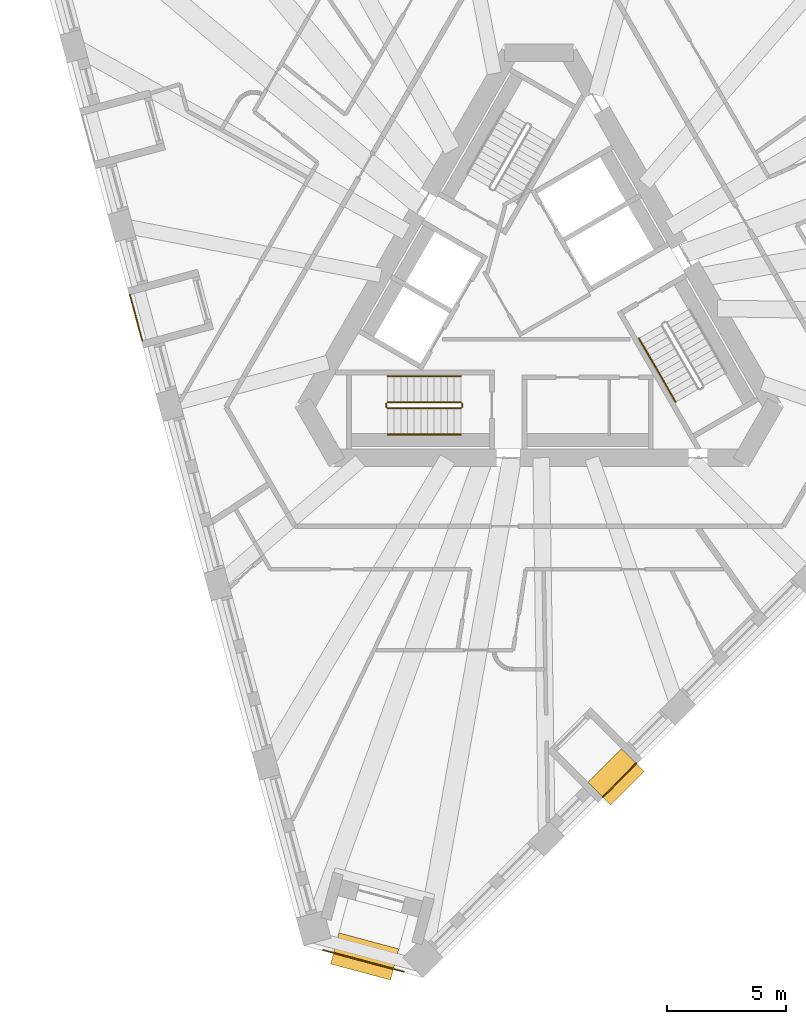
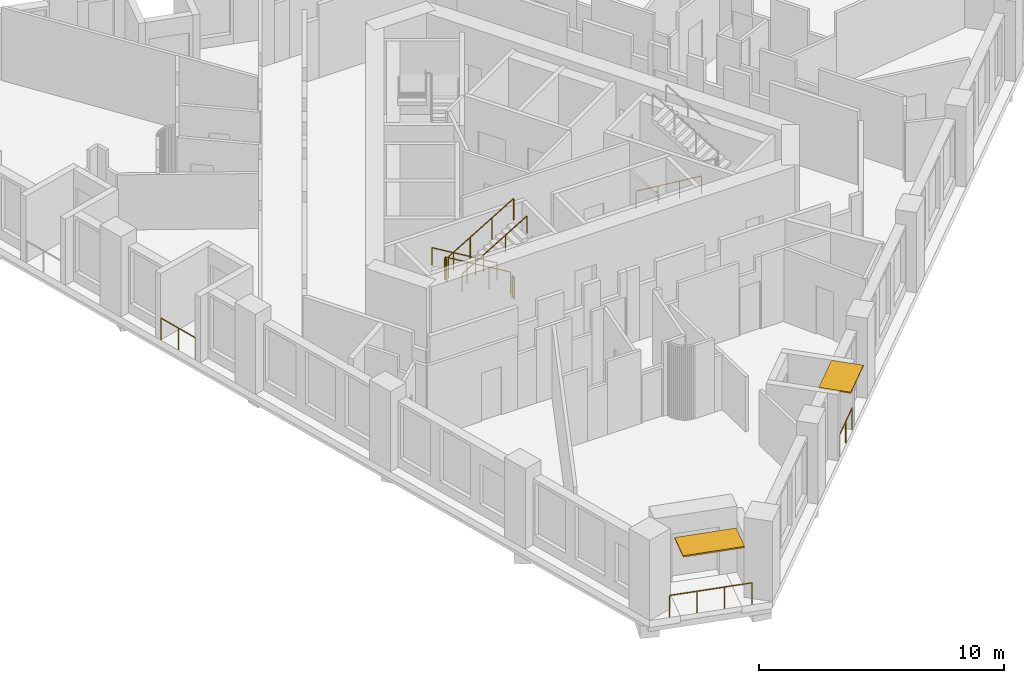
# One storey, part 10 of 13: 10 railings, 2 shading devices.
"""IFC4 building model written with IfcOpenShell, lengths in metres."""

from ifc_helpers import new_model, si_unit, direction, frame, origin, origin_2d, place, context, subcontext, project, spatial, rectangle, circle, extrude, material, layer, layer_set, type_object, element, save


model = new_model("IFC4")

# Units and contexts
model_context = context("Model", 3, precision=1e-05, world=origin(), true_north=direction((0.0, 1.0)))
body_context = subcontext(model_context, "Body", "Model", "MODEL_VIEW")
ifc_project = project(units=[si_unit("LENGTHUNIT", "METRE"), si_unit("AREAUNIT", "SQUARE_METRE"), si_unit("VOLUMEUNIT", "CUBIC_METRE"), si_unit("PLANEANGLEUNIT", "RADIAN"), si_unit("MASSUNIT", "GRAM", prefix="KILO")], contexts=[model_context])

# Site, building, storey
site_placement = place(None, origin())
site = spatial("IfcSite", under=ifc_project, at=site_placement, CompositionType="ELEMENT")
building_placement = place(site_placement, origin())
building = spatial("IfcBuilding", under=site, at=building_placement, Name="Tramontana Tower", CompositionType="ELEMENT")
storey_placement = place(building_placement, frame((0.0, 0.0, 212.0)))
storey = spatial("IfcBuildingStorey", under=building, at=storey_placement, Name="L49", CompositionType="ELEMENT", Elevation=212.0)

# Railings
ifc_material_1 = material(Name="Laminated glass balustrade", Category="glass")
railing_type_1 = type_object("IfcRailingType", Name="GD1 Loggia glass balustrade 1100", PredefinedType="BALUSTRADE", material=ifc_material_1)
railing_1_placement = place(storey_placement, frame((-17.176025390625, 0.466552734375, 0.0)))
element("IfcRailing", 1, at=railing_1_placement, inside=storey, type_object=railing_type_1, Name="Loggia balustrade L49 G5S0.7", PredefinedType="BALUSTRADE", context=body_context, shape_type="SweptSolid", body=[
    extrude(circle(Radius=0.02392578125, at=origin_2d()), frame((0.0, 0.0, 1.076171875), z_axis=(0.258803270362, -0.96593005298, 0.0), x_axis=(0.96593005298, 0.258803270362, 0.0)), (0.0, 0.0, 1.0), 1.998046875),
    extrude(circle(Radius=0.02099609375, at=origin_2d()), origin(), (0.0, 0.0, 1.0), 1.052001953125),
    extrude(circle(Radius=0.02099609375, at=origin_2d()), frame((0.258544921875, -0.96484375, 0.0)), (0.0, 0.0, 1.0), 1.052001953125),
    extrude(circle(Radius=0.02099609375, at=origin_2d()), frame((0.51708984375, -1.929931640625, 0.0)), (0.0, 0.0, 1.0), 1.052001953125),
])
railing_2_placement = place(storey_placement, frame((2.672607421875, -20.619384765625, 0.0)))
element("IfcRailing", 2, at=railing_2_placement, inside=storey, type_object=railing_type_1, Name="Loggia balustrade L49 G5S1.4", PredefinedType="BALUSTRADE", context=body_context, shape_type="SweptSolid", body=[
    extrude(circle(Radius=0.02392578125, at=origin_2d()), frame((0.0, 0.0, 1.076171875), z_axis=(0.707106781187, 0.707106781187, 0.0), x_axis=(-0.707106781187, 0.707106781187, 0.0)), (0.0, 0.0, 1.0), 1.998046875),
    extrude(circle(Radius=0.02099609375, at=origin_2d()), origin(), (0.0, 0.0, 1.0), 1.052001953125),
    extrude(circle(Radius=0.02099609375, at=origin_2d()), frame((0.70654296875, 0.70654296875, 0.0)), (0.0, 0.0, 1.0), 1.052001953125),
    extrude(circle(Radius=0.02099609375, at=origin_2d()), frame((1.412841796875, 1.412841796875, 0.0)), (0.0, 0.0, 1.0), 1.052001953125),
])
railing_3_placement = place(storey_placement, frame((-5.67822265625, -27.952880859375, 0.0)))
element("IfcRailing", 3, at=railing_3_placement, inside=storey, type_object=railing_type_1, Name="Corner loggia balustrade L49 K51", PredefinedType="BALUSTRADE", context=body_context, shape_type="SweptSolid", body=[
    extrude(circle(Radius=0.02392578125, at=origin_2d()), frame((0.0, 0.0, 1.076171875), z_axis=(-0.965913486506, 0.258865093408, 0.0), x_axis=(-0.258865093408, -0.965913486506, 0.0)), (0.0, 0.0, 1.0), 3.5),
    extrude(circle(Radius=0.02099609375, at=origin_2d()), origin(), (0.0, 0.0, 1.0), 1.052001953125),
    extrude(circle(Radius=0.02099609375, at=origin_2d()), frame((-1.126953125, 0.302001953125, 0.0)), (0.0, 0.0, 1.0), 1.052001953125),
    extrude(circle(Radius=0.02099609375, at=origin_2d()), frame((-2.253662109375, 0.60400390625, 0.0)), (0.0, 0.0, 1.0), 1.052001953125),
    extrude(circle(Radius=0.02099609375, at=origin_2d()), frame((-3.380615234375, 0.906005859375, 0.0)), (0.0, 0.0, 1.0), 1.052001953125),
])

# Shading devices
ifc_material_2 = material(Name="Precast concrete 60 MPa", Category="concrete")
ifc_layer_1 = layer(ifc_material_2, 0.06005859375)
ifc_layer_set_1 = layer_set([ifc_layer_1], Name="SS1 Stone sunshade blade 60")
shading_device_type_1 = type_object("IfcShadingDeviceType", Name="SS1 Stone sunshade blade 60", PredefinedType="USERDEFINED", material=ifc_layer_set_1)
shading_device_1_placement = place(storey_placement, frame((3.2412109375, -19.775146484375, 3.239990234375), z_axis=(0.0, 0.0, 1.0), x_axis=(0.707106781187, 0.707106781187, 0.0)))
element("IfcShadingDevice", 4, at=shading_device_1_placement, inside=storey, type_object=shading_device_type_1, Name="Sunshade L49 G5S1.4", ObjectType="SUNSHADE", PredefinedType="USERDEFINED", context=body_context, shape_type="SweptSolid", body=[
    extrude(rectangle(XDim=1.998046875, YDim=1.35009765625, at=origin_2d()), origin(), (0.0, 0.0, 1.0), 0.06005859375),
])
ifc_material_3 = material(Name="Precast concrete 60 MPa", Category="concrete")
ifc_layer_2 = layer(ifc_material_3, 0.070068359375)
ifc_layer_set_2 = layer_set([ifc_layer_2], Name="SS2 Stone sunshade blade 70")
shading_device_type_2 = type_object("IfcShadingDeviceType", Name="SS2 Stone sunshade blade 70", PredefinedType="USERDEFINED", material=ifc_layer_set_2)
shading_device_2_placement = place(storey_placement, frame((-7.318115234375, -27.3115234375, 3.22998046875), z_axis=(0.0, 0.0, 1.0), x_axis=(-0.965925826289, 0.258819045103, 0.0)))
element("IfcShadingDevice", 5, at=shading_device_2_placement, inside=storey, type_object=shading_device_type_2, Name="Corner sunshade L49 K51", ObjectType="SUNSHADE", PredefinedType="USERDEFINED", context=body_context, shape_type="SweptSolid", body=[
    extrude(rectangle(XDim=2.60009765625, YDim=1.35009765625, at=origin_2d()), origin(), (0.0, 0.0, 1.0), 0.070068359375),
])

# Railings
ifc_material_4 = material(Name="Painted steel", Category="steel")
railing_type_2 = type_object("IfcRailingType", Name="STAIR GUARD 1100", PredefinedType="GUARDRAIL", material=ifc_material_4)
railing_4_placement = place(storey_placement, frame((-3.280029296875, -4.050048828125, 0.166748046875)))
element("IfcRailing", 6, at=railing_4_placement, inside=storey, type_object=railing_type_2, Name="L49 ST2 stair guard 1", PredefinedType="GUARDRAIL", context=body_context, shape_type="SweptSolid", body=[
    extrude(circle(Radius=0.02392578125, at=origin_2d()), frame((0.0, 0.0, 1.076171875), z_axis=(-0.859308565015, 0.0, 0.511457515432), x_axis=(0.0, -1.0, 0.0)), (0.0, 0.0, 1.0), 3.58447265625),
    extrude(circle(Radius=0.02099609375, at=origin_2d()), origin(), (0.0, 0.0, 1.0), 1.052001953125),
    extrude(circle(Radius=0.02099609375, at=origin_2d()), frame((-1.026611328125, 0.0, 0.611083984375)), (0.0, 0.0, 1.0), 1.052001953125),
    extrude(circle(Radius=0.02099609375, at=origin_2d()), frame((-2.053466796875, 0.0, 1.22216796875)), (0.0, 0.0, 1.0), 1.052001953125),
    extrude(circle(Radius=0.02099609375, at=origin_2d()), frame((-3.080078125, 0.0, 1.833251953125)), (0.0, 0.0, 1.0), 1.052001953125),
])
railing_5_placement = place(storey_placement, frame((-6.360107421875, -4.300048828125, 2.166748046875)))
element("IfcRailing", 7, at=railing_5_placement, inside=storey, type_object=railing_type_2, Name="L49 ST2 stair guard 2", PredefinedType="GUARDRAIL", context=body_context, shape_type="SweptSolid", body=[
    extrude(circle(Radius=0.02392578125, at=origin_2d()), frame((0.0, 0.0, 1.076171875), z_axis=(0.859308565015, 0.0, 0.511457515432), x_axis=(0.0, 1.0, 0.0)), (0.0, 0.0, 1.0), 3.58447265625),
    extrude(circle(Radius=0.02099609375, at=origin_2d()), origin(), (0.0, 0.0, 1.0), 1.052001953125),
    extrude(circle(Radius=0.02099609375, at=origin_2d()), frame((1.026611328125, 0.0, 0.611083984375)), (0.0, 0.0, 1.0), 1.052001953125),
    extrude(circle(Radius=0.02099609375, at=origin_2d()), frame((2.053466796875, 0.0, 1.22216796875)), (0.0, 0.0, 1.0), 1.052001953125),
    extrude(circle(Radius=0.02099609375, at=origin_2d()), frame((3.080078125, 0.0, 1.833251953125)), (0.0, 0.0, 1.0), 1.052001953125),
])
for number, where, name in (
    (8, (-6.409912109375, -4.10009765625, 2.0), "L49 ST2 stair guard 3"),
    (9, (-3.22998046875, -4.10009765625, 0.0), "L49 ST2 stair guard 4"),
):
    element("IfcRailing", number, at=place(storey_placement, frame(where)), inside=storey, type_object=railing_type_2, Name=name, PredefinedType="GUARDRAIL", context=body_context, shape_type="SweptSolid", body=[
        extrude(circle(Radius=0.02392578125, at=origin_2d()), frame((0.0, 0.0, 1.076171875), z_axis=(0.0, -1.0, 0.0), x_axis=(1.0, 0.0, 0.0)), (0.0, 0.0, 1.0), 0.14990234375),
        extrude(circle(Radius=0.02099609375, at=origin_2d()), origin(), (0.0, 0.0, 1.0), 1.052001953125),
        extrude(circle(Radius=0.02099609375, at=origin_2d()), frame((0.0, -0.14990234375, 0.0)), (0.0, 0.0, 1.0), 1.052001953125),
    ])
ifc_material_5 = material(Name="Painted steel", Category="steel")
railing_type_3 = type_object("IfcRailingType", Name="STAIR HANDRAIL 900", PredefinedType="HANDRAIL", material=ifc_material_5)
railing_6_placement = place(storey_placement, frame((-3.280029296875, -2.949951171875, 0.166748046875)))
element("IfcRailing", 10, at=railing_6_placement, inside=storey, type_object=railing_type_3, Name="L49 ST2 stair handrail 1", PredefinedType="HANDRAIL", context=body_context, shape_type="SweptSolid", body=[
    extrude(circle(Radius=0.02392578125, at=origin_2d()), frame((0.0, 0.0, 0.8759765625), z_axis=(-0.859308565015, 0.0, 0.511457515432), x_axis=(0.0, -1.0, 0.0)), (0.0, 0.0, 1.0), 3.58447265625),
    extrude(circle(Radius=0.02099609375, at=origin_2d()), origin(), (0.0, 0.0, 1.0), 0.851806640625),
    extrude(circle(Radius=0.02099609375, at=origin_2d()), frame((-1.026611328125, 0.0, 0.611083984375)), (0.0, 0.0, 1.0), 0.851806640625),
    extrude(circle(Radius=0.02099609375, at=origin_2d()), frame((-2.053466796875, 0.0, 1.22216796875)), (0.0, 0.0, 1.0), 0.851806640625),
    extrude(circle(Radius=0.02099609375, at=origin_2d()), frame((-3.080078125, 0.0, 1.833251953125)), (0.0, 0.0, 1.0), 0.851806640625),
])
railing_7_placement = place(storey_placement, frame((-6.360107421875, -5.39990234375, 2.166748046875)))
element("IfcRailing", 11, at=railing_7_placement, inside=storey, type_object=railing_type_3, Name="L49 ST2 stair handrail 2", PredefinedType="HANDRAIL", context=body_context, shape_type="SweptSolid", body=[
    extrude(circle(Radius=0.02392578125, at=origin_2d()), frame((0.0, 0.0, 0.8759765625), z_axis=(0.859308565015, 0.0, 0.511457515432), x_axis=(0.0, 1.0, 0.0)), (0.0, 0.0, 1.0), 3.58447265625),
    extrude(circle(Radius=0.02099609375, at=origin_2d()), origin(), (0.0, 0.0, 1.0), 0.851806640625),
    extrude(circle(Radius=0.02099609375, at=origin_2d()), frame((1.026611328125, 0.0, 0.611083984375)), (0.0, 0.0, 1.0), 0.851806640625),
    extrude(circle(Radius=0.02099609375, at=origin_2d()), frame((2.053466796875, 0.0, 1.22216796875)), (0.0, 0.0, 1.0), 0.851806640625),
    extrude(circle(Radius=0.02099609375, at=origin_2d()), frame((3.080078125, 0.0, 1.833251953125)), (0.0, 0.0, 1.0), 0.851806640625),
])
railing_8_placement = place(storey_placement, frame((4.19482421875, -1.365478515625, 0.166748046875)))
element("IfcRailing", 12, at=railing_8_placement, inside=storey, type_object=railing_type_3, Name="L49 ST3 stair handrail 1", PredefinedType="HANDRAIL", context=body_context, shape_type="SweptSolid", body=[
    extrude(circle(Radius=0.02392578125, at=origin_2d()), frame((0.0, 0.0, 0.8759765625), z_axis=(0.429649414936, -0.744189839504, 0.511451721109), x_axis=(0.866029832698, 0.499992328818, 0.0)), (0.0, 0.0, 1.0), 3.58447265625),
    extrude(circle(Radius=0.02099609375, at=origin_2d()), origin(), (0.0, 0.0, 1.0), 0.851806640625),
    extrude(circle(Radius=0.02099609375, at=origin_2d()), frame((0.513427734375, -0.88916015625, 0.611083984375)), (0.0, 0.0, 1.0), 0.851806640625),
    extrude(circle(Radius=0.02099609375, at=origin_2d()), frame((1.026611328125, -1.7783203125, 1.22216796875)), (0.0, 0.0, 1.0), 0.851806640625),
    extrude(circle(Radius=0.02099609375, at=origin_2d()), frame((1.5400390625, -2.66748046875, 1.833251953125)), (0.0, 0.0, 1.0), 0.851806640625),
])

save(model, "model.ifc")
